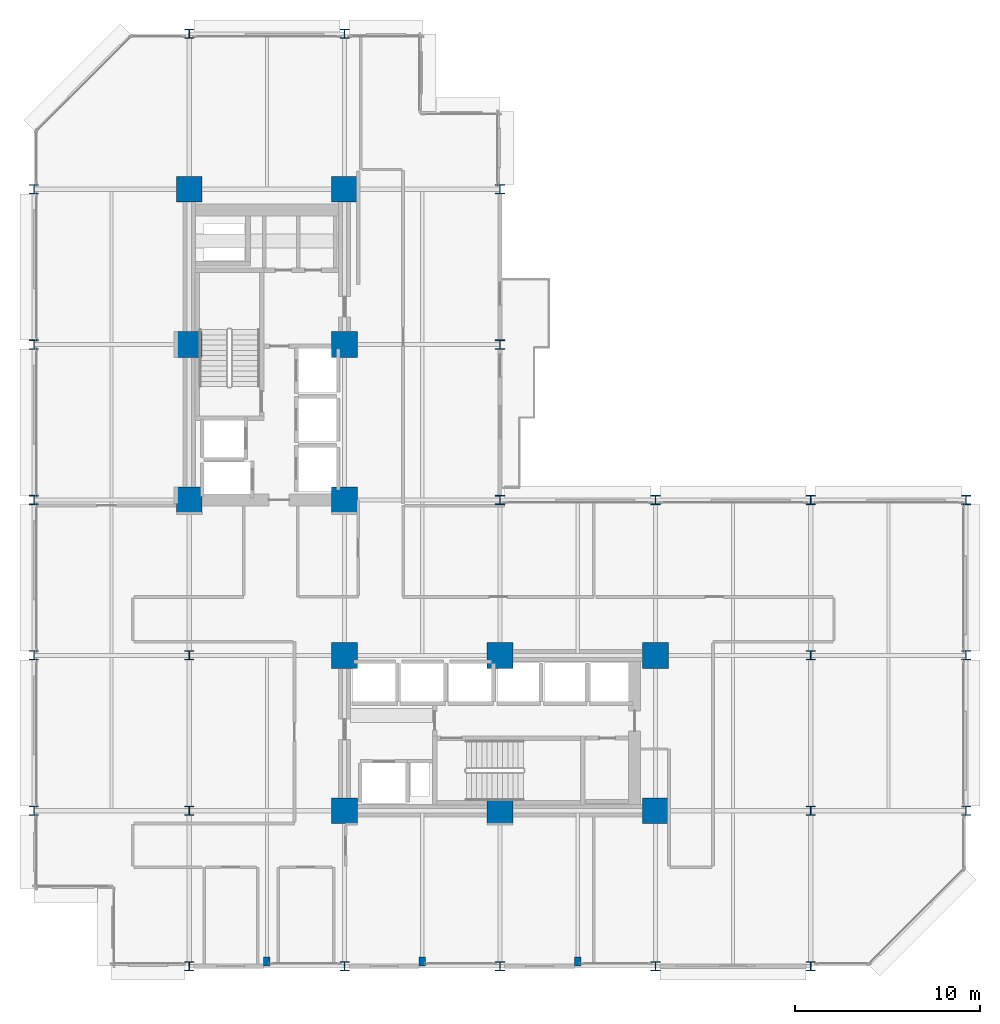
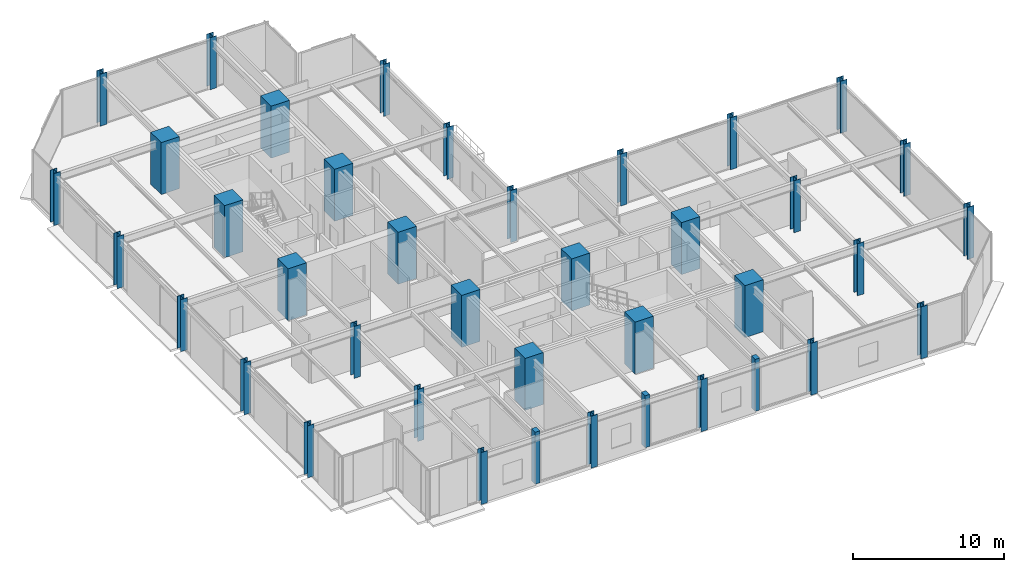
# One storey, part 1 of 25: 39 columns.
"""IFC4 building model written with IfcOpenShell, lengths in metres."""

from ifc_helpers import new_model, si_unit, direction, frame, origin, origin_2d, place, context, subcontext, project, spatial, rectangle, i_section, extrude, material, material_profile, profile_set, type_object, element, save


model = new_model("IFC4")

# Units and contexts
model_context = context("Model", 3, precision=1e-05, world=origin(), true_north=direction((0.0, 1.0)))
body_context = subcontext(model_context, "Body", "Model", "MODEL_VIEW")
ifc_project = project(units=[si_unit("LENGTHUNIT", "METRE"), si_unit("AREAUNIT", "SQUARE_METRE"), si_unit("VOLUMEUNIT", "CUBIC_METRE"), si_unit("PLANEANGLEUNIT", "RADIAN"), si_unit("MASSUNIT", "GRAM", prefix="KILO")], contexts=[model_context])

# Site, building, storey
site_placement = place(None, origin())
site = spatial("IfcSite", under=ifc_project, at=site_placement, CompositionType="ELEMENT")
building_placement = place(site_placement, origin())
building = spatial("IfcBuilding", under=site, at=building_placement, Name="Nerrivon Quay Data Exchange", CompositionType="ELEMENT")
storey_placement = place(building_placement, frame((0.0, 0.0, 41.60009765625)))
storey = spatial("IfcBuildingStorey", under=building, at=storey_placement, Name="L09", CompositionType="ELEMENT", Elevation=41.60009765625)

# Columns
ifc_material_1 = material(Name="Concrete N80 (80 MPa)", Category="concrete")
ifc_material_profile_1 = material_profile(ifc_material_1, rectangle(XDim=1.39990234375, YDim=1.39990234375, at=origin_2d()), Name="RC-COL-1400x1400")
ifc_profile_set_1 = profile_set([ifc_material_profile_1], Name="Concrete N80 (80 MPa)")
column_type_1 = type_object("IfcColumnType", Name="COL-C2-1400", PredefinedType="COLUMN", material=ifc_profile_set_1)
for number, where, z_axis, x_axis, name in (
    (1, (8.39990234375, 25.199951171875, 0.0), (0.0, 0.0, 1.0), (1.0, 0.0, 0.0), "L09 Column (8.4,25.2)"),
    (2, (8.39990234375, 33.60009765625, 0.0), (0.0, 0.0, 1.0), (1.0, 0.0, 0.0), "L09 Column (8.4,33.6)"),
    (3, (8.39990234375, 42.0, 0.0), (0.0, 0.0, 1.0), (1.0, 0.0, 0.0), "L09 Column (8.4,42.0)"),
    (4, (16.800048828125, 8.39990234375, 0.0), (0.0, 0.0, 1.0), (1.0, 0.0, 0.0), "L09 Column (16.8,8.4)"),
    (5, (16.800048828125, 16.800048828125, 0.0), (0.0, 0.0, 1.0), (1.0, 0.0, 0.0), "L09 Column (16.8,16.8)"),
    (6, (16.800048828125, 25.199951171875, 0.0), (0.0, 0.0, 1.0), (1.0, 0.0, 0.0), "L09 Column (16.8,25.2)"),
    (7, (16.800048828125, 33.60009765625, 0.0), (0.0, 0.0, 1.0), (1.0, 0.0, 0.0), "L09 Column (16.8,33.6)"),
    (8, (16.800048828125, 42.0, 0.0), (0.0, 0.0, 1.0), (1.0, 0.0, 0.0), "L09 Column (16.8,42.0)"),
    (9, (25.199951171875, 8.39990234375, 0.0), (0.0, 0.0, 1.0), (1.0, 0.0, 0.0), "L09 Column (25.2,8.4)"),
    (10, (25.199951171875, 16.800048828125, 0.0), (0.0, 0.0, 1.0), (1.0, 0.0, 0.0), "L09 Column (25.2,16.8)"),
    (11, (33.60009765625, 8.39990234375, 0.0), (0.0, 0.0, 1.0), (1.0, 0.0, 0.0), "L09 Column (33.6,8.4)"),
    (12, (33.60009765625, 16.800048828125, 0.0), (0.0, 0.0, 1.0), (1.0, 0.0, 0.0), "L09 Column (33.6,16.8)"),
):
    element("IfcColumn", number, at=place(storey_placement, frame(where, z_axis=z_axis, x_axis=x_axis)), inside=storey, type_object=column_type_1, Name=name, PredefinedType="COLUMN", context=body_context, shape_type="SweptSolid", body=[
        extrude(rectangle(XDim=1.39990234375, YDim=1.39990234375, at=origin_2d()), origin(), (0.0, 0.0, 1.0), 4.199951171875),
    ])
ifc_material_2 = material(Name="Steel Grade 350", Category="steel")
ifc_material_profile_2 = material_profile(ifc_material_2, i_section(OverallWidth=0.5, OverallDepth=0.5, WebThickness=0.028076171875, FlangeThickness=0.0400390625, at=origin_2d()), Name="500WC440")
ifc_profile_set_2 = profile_set([ifc_material_profile_2], Name="Steel Grade 350")
column_type_2 = type_object("IfcColumnType", Name="COL-SC1-500WC", PredefinedType="COLUMN", material=ifc_profile_set_2)
for number, where, z_axis, x_axis, name in (
    (13, (0.0, 8.39990234375, 0.0), (0.0, 0.0, 1.0), (1.0, 0.0, 0.0), "L09 Column (0.0,8.4)"),
    (14, (0.0, 16.800048828125, 0.0), (0.0, 0.0, 1.0), (1.0, 0.0, 0.0), "L09 Column (0.0,16.8)"),
    (15, (0.0, 25.199951171875, 0.0), (0.0, 0.0, 1.0), (1.0, 0.0, 0.0), "L09 Column (0.0,25.2)"),
    (16, (0.0, 33.60009765625, 0.0), (0.0, 0.0, 1.0), (1.0, 0.0, 0.0), "L09 Column (0.0,33.6)"),
    (17, (0.0, 42.0, 0.0), (0.0, 0.0, 1.0), (1.0, 0.0, 0.0), "L09 Column (0.0,42.0)"),
    (18, (8.39990234375, 0.0, 0.0), (0.0, 0.0, 1.0), (1.0, 0.0, 0.0), "L09 Column (8.4,0.0)"),
    (19, (8.39990234375, 8.39990234375, 0.0), (0.0, 0.0, 1.0), (1.0, 0.0, 0.0), "L09 Column (8.4,8.4)"),
    (20, (8.39990234375, 16.800048828125, 0.0), (0.0, 0.0, 1.0), (1.0, 0.0, 0.0), "L09 Column (8.4,16.8)"),
    (21, (8.39990234375, 50.39990234375, 0.0), (0.0, 0.0, 1.0), (1.0, 0.0, 0.0), "L09 Column (8.4,50.4)"),
    (22, (16.800048828125, 0.0, 0.0), (0.0, 0.0, 1.0), (1.0, 0.0, 0.0), "L09 Column (16.8,0.0)"),
    (23, (16.800048828125, 50.39990234375, 0.0), (0.0, 0.0, 1.0), (1.0, 0.0, 0.0), "L09 Column (16.8,50.4)"),
    (24, (25.199951171875, 0.0, 0.0), (0.0, 0.0, 1.0), (1.0, 0.0, 0.0), "L09 Column (25.2,0.0)"),
    (25, (25.199951171875, 25.199951171875, 0.0), (0.0, 0.0, 1.0), (1.0, 0.0, 0.0), "L09 Column (25.2,25.2)"),
    (26, (25.199951171875, 33.60009765625, 0.0), (0.0, 0.0, 1.0), (1.0, 0.0, 0.0), "L09 Column (25.2,33.6)"),
    (27, (25.199951171875, 42.0, 0.0), (0.0, 0.0, 1.0), (1.0, 0.0, 0.0), "L09 Column (25.2,42.0)"),
    (28, (33.60009765625, 0.0, 0.0), (0.0, 0.0, 1.0), (1.0, 0.0, 0.0), "L09 Column (33.6,0.0)"),
    (29, (33.60009765625, 25.199951171875, 0.0), (0.0, 0.0, 1.0), (1.0, 0.0, 0.0), "L09 Column (33.6,25.2)"),
    (30, (42.0, 0.0, 0.0), (0.0, 0.0, 1.0), (1.0, 0.0, 0.0), "L09 Column (42.0,0.0)"),
    (31, (42.0, 8.39990234375, 0.0), (0.0, 0.0, 1.0), (1.0, 0.0, 0.0), "L09 Column (42.0,8.4)"),
    (32, (42.0, 16.800048828125, 0.0), (0.0, 0.0, 1.0), (1.0, 0.0, 0.0), "L09 Column (42.0,16.8)"),
    (33, (42.0, 25.199951171875, 0.0), (0.0, 0.0, 1.0), (1.0, 0.0, 0.0), "L09 Column (42.0,25.2)"),
    (34, (50.39990234375, 8.39990234375, 0.0), (0.0, 0.0, 1.0), (1.0, 0.0, 0.0), "L09 Column (50.4,8.4)"),
    (35, (50.39990234375, 16.800048828125, 0.0), (0.0, 0.0, 1.0), (1.0, 0.0, 0.0), "L09 Column (50.4,16.8)"),
    (36, (50.39990234375, 25.199951171875, 0.0), (0.0, 0.0, 1.0), (1.0, 0.0, 0.0), "L09 Column (50.4,25.2)"),
):
    element("IfcColumn", number, at=place(storey_placement, frame(where, z_axis=z_axis, x_axis=x_axis)), inside=storey, type_object=column_type_2, Name=name, PredefinedType="COLUMN", context=body_context, shape_type="SweptSolid", body=[
        extrude(i_section(OverallWidth=0.5, OverallDepth=0.5, WebThickness=0.028076171875, FlangeThickness=0.0400390625, at=origin_2d()), origin(), (0.0, 0.0, 1.0), 4.199951171875),
    ])
ifc_material_3 = material(Name="Concrete N50 (50 MPa)", Category="concrete")
ifc_material_profile_3 = material_profile(ifc_material_3, rectangle(XDim=0.35009765625, YDim=0.5, at=origin_2d()), Name="RC-PIL-500x350")
ifc_profile_set_3 = profile_set([ifc_material_profile_3], Name="Concrete N50 (50 MPa)")
column_type_3 = type_object("IfcColumnType", Name="PIL-P2-500x350", PredefinedType="PILASTER", material=ifc_profile_set_3)
for number, where, z_axis, x_axis, name in (
    (37, (12.60009765625, 0.25, 0.0), (0.0, 0.0, 1.0), (1.0, 0.0, 0.0), "L09 Facade Pilaster (12.6)"),
    (38, (21.0, 0.25, 0.0), (0.0, 0.0, 1.0), (1.0, 0.0, 0.0), "L09 Facade Pilaster (21.0)"),
    (39, (29.39990234375, 0.25, 0.0), (0.0, 0.0, 1.0), (1.0, 0.0, 0.0), "L09 Facade Pilaster (29.4)"),
):
    element("IfcColumn", number, at=place(storey_placement, frame(where, z_axis=z_axis, x_axis=x_axis)), inside=storey, type_object=column_type_3, Name=name, PredefinedType="PILASTER", context=body_context, shape_type="SweptSolid", body=[
        extrude(rectangle(XDim=0.35009765625, YDim=0.5, at=origin_2d()), origin(), (0.0, 0.0, 1.0), 4.199951171875),
    ])

save(model, "model.ifc")
